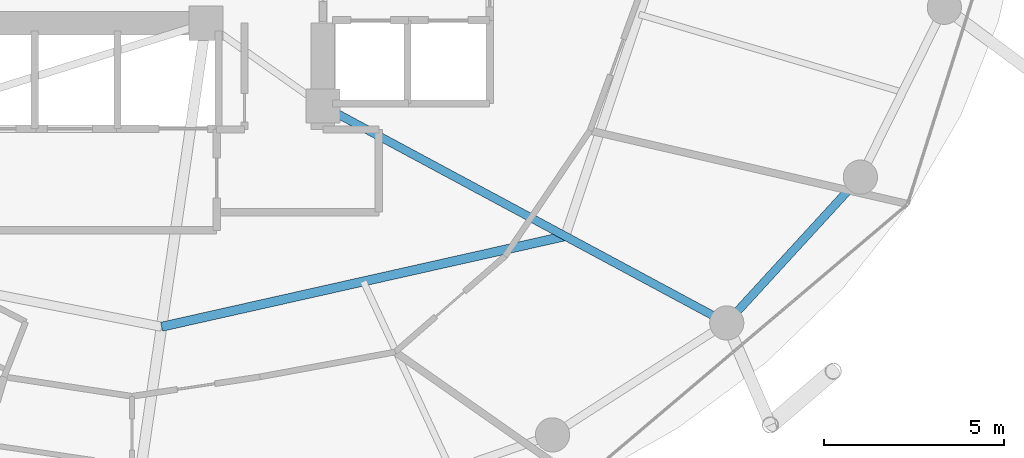
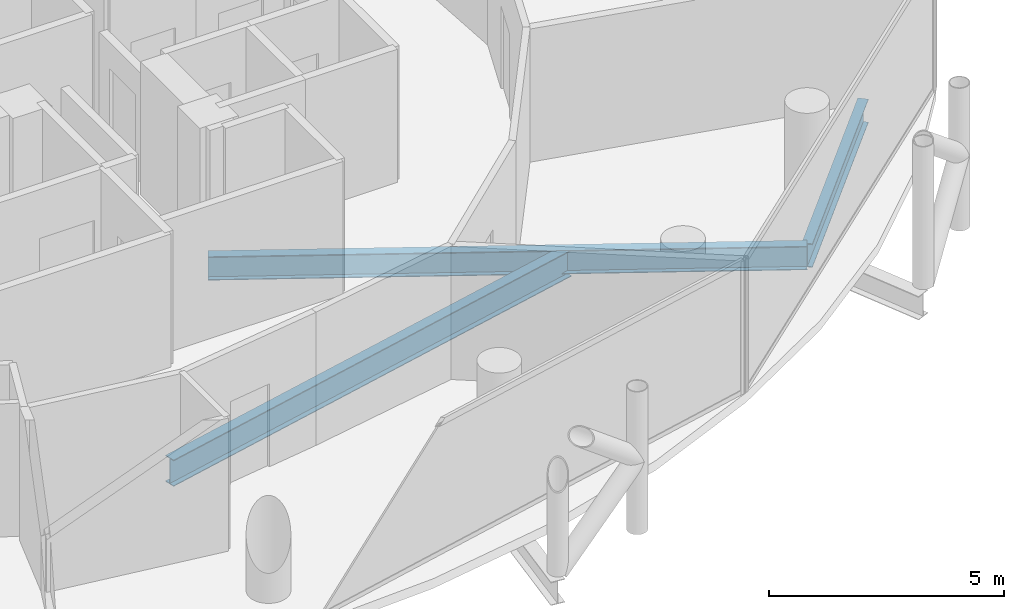
# One storey, part 9 of 26: 3 beams.
"""IFC4 building model written with IfcOpenShell, lengths in metres."""

from ifc_helpers import new_model, si_unit, direction, frame, origin, origin_2d, place, context, subcontext, project, spatial, i_section, extrude, material, material_profile, profile_set, type_object, element, save


model = new_model("IFC4")

# Units and contexts
model_context = context("Model", 3, precision=1e-05, world=origin(), true_north=direction((0.0, 1.0)))
body_context = subcontext(model_context, "Body", "Model", "MODEL_VIEW")
ifc_project = project(units=[si_unit("LENGTHUNIT", "METRE"), si_unit("AREAUNIT", "SQUARE_METRE"), si_unit("VOLUMEUNIT", "CUBIC_METRE"), si_unit("PLANEANGLEUNIT", "RADIAN"), si_unit("MASSUNIT", "GRAM", prefix="KILO")], contexts=[model_context])

# Site, building, storey
site_placement = place(None, origin())
site = spatial("IfcSite", under=ifc_project, at=site_placement, CompositionType="ELEMENT")
building_placement = place(site_placement, origin())
building = spatial("IfcBuilding", under=site, at=building_placement, Name="Nuhasar Tower", CompositionType="ELEMENT")
storey_placement = place(building_placement, frame((0.0, 0.0, 155.25)))
storey = spatial("IfcBuildingStorey", under=building, at=storey_placement, Name="L37", CompositionType="ELEMENT", Elevation=155.25)

# Beams
ifc_material = material(Name="Steel S355", Category="steel")
ifc_material_profile_1 = material_profile(ifc_material, i_section(OverallWidth=0.25390625, OverallDepth=0.68408203125, WebThickness=0.012451171875, FlangeThickness=0.018798828125, at=origin_2d()), Name="W27X94")
ifc_profile_set_1 = profile_set([ifc_material_profile_1], Name="Steel S355")
beam_type_1 = type_object("IfcBeamType", Name="BM-INRING-W27X94", PredefinedType="BEAM", material=ifc_profile_set_1)
beam_1_placement = place(storey_placement, frame((39.820068359375, 12.8701171875, -0.592041015625), z_axis=(0.975716159385, 0.219038755282, 0.0), x_axis=(-0.219038755282, 0.975716159385, 0.0)))
element("IfcBeam", 1, at=beam_1_placement, inside=storey, type_object=beam_type_1, Name="L37 Inner Header Beam 02", PredefinedType="BEAM", context=body_context, shape_type="SweptSolid", body=[
    extrude(i_section(OverallWidth=0.25390625, OverallDepth=0.68408203125, WebThickness=0.012451171875, FlangeThickness=0.018798828125, at=origin_2d()), origin(), (0.0, 0.0, 1.0), 11.48583984375),
])
ifc_material_profile_2 = material_profile(ifc_material, i_section(OverallWidth=0.22900390625, OverallDepth=0.612060546875, WebThickness=0.011962890625, FlangeThickness=0.01953125, at=origin_2d()), Name="W24X84")
ifc_profile_set_2 = profile_set([ifc_material_profile_2], Name="Steel S355")
beam_type_2 = type_object("IfcBeamType", Name="BM-RAD-W24X84", PredefinedType="BEAM", material=ifc_profile_set_2)
beam_2_placement = place(storey_placement, frame((44.300048828125, 19.0, -0.555908203125), z_axis=(0.880888386928, -0.473324043098, 0.0), x_axis=(0.473324043098, 0.880888386928, 0.0)))
element("IfcBeam", 2, at=beam_2_placement, inside=storey, type_object=beam_type_2, Name="L37 Radial Floor Girder 03", PredefinedType="BEAM", context=body_context, shape_type="SweptSolid", body=[
    extrude(i_section(OverallWidth=0.22900390625, OverallDepth=0.612060546875, WebThickness=0.011962890625, FlangeThickness=0.01953125, at=origin_2d()), origin(), (0.0, 0.0, 1.0), 12.726806640625),
])
ifc_material_profile_3 = material_profile(ifc_material, i_section(OverallWidth=0.22998046875, OverallDepth=0.616943359375, WebThickness=0.01318359375, FlangeThickness=0.022216796875, at=origin_2d()), Name="W24X94")
ifc_profile_set_3 = profile_set([ifc_material_profile_3], Name="Steel S355")
beam_type_3 = type_object("IfcBeamType", Name="BM-RING-W24X94", PredefinedType="SPANDREL", material=ifc_profile_set_3)
beam_3_placement = place(storey_placement, frame((55.510986328125, 12.97607421875, -0.55908203125), z_axis=(0.675676316545, 0.737198423262, 0.0), x_axis=(-0.737198423262, 0.675676316545, 0.0)))
element("IfcBeam", 3, at=beam_3_placement, inside=storey, type_object=beam_type_3, Name="L37 Perimeter Ring Spandrel 22", PredefinedType="SPANDREL", context=body_context, shape_type="SweptSolid", body=[
    extrude(i_section(OverallWidth=0.22998046875, OverallDepth=0.616943359375, WebThickness=0.01318359375, FlangeThickness=0.022216796875, at=origin_2d()), origin(), (0.0, 0.0, 1.0), 5.4921875),
])

save(model, "model.ifc")
